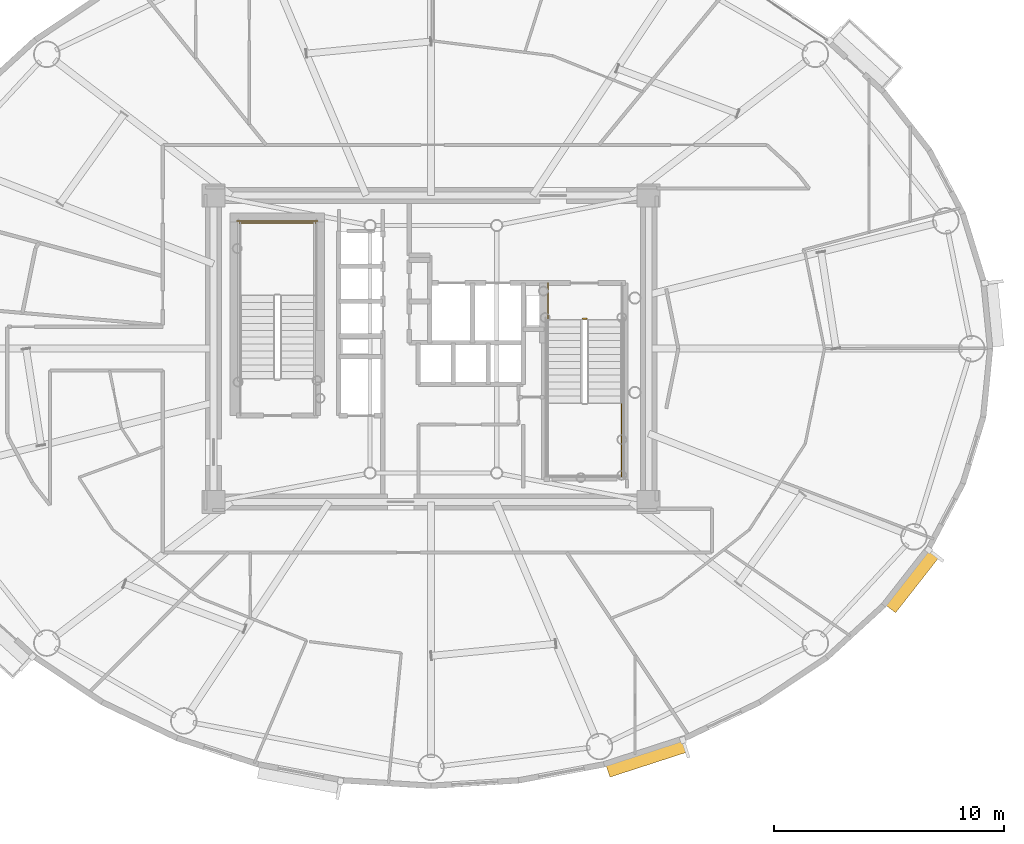
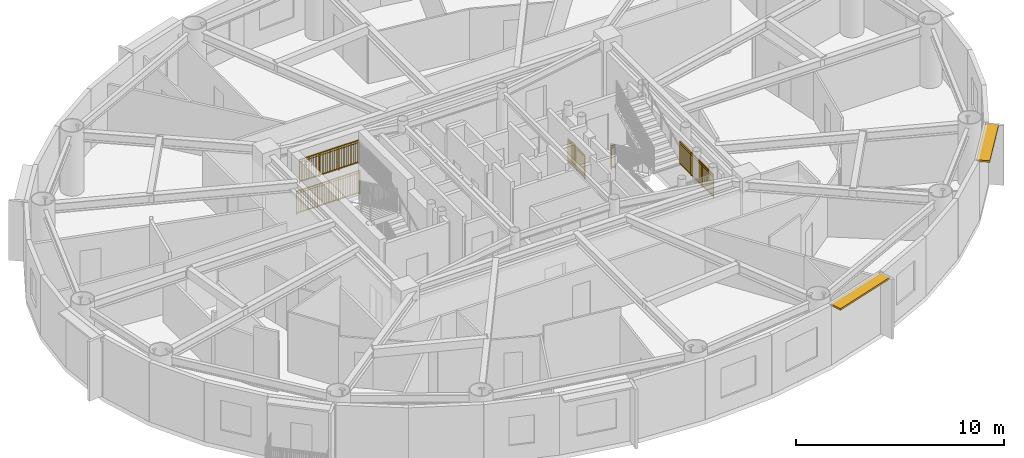
# One storey, part 17 of 19: 5 railings, 2 shading devices.
"""IFC4 building model written with IfcOpenShell, lengths in metres."""

import ifcopenshell
import ifcopenshell.guid

model = None  # the IFC model being written
_history = None  # IfcOwnerHistory: only IFC2X3 demands one
_inside = {}  # id of a spatial element -> (the spatial element, [elements in it])
_under = {}  # id of a project, library or spatial element -> (it, [spatial elements below it])
_declared = {}  # id of a project -> (the project, [libraries it declares])
_typed = {}  # id of a type object -> (the type object, [elements of that type])
_made_of = {}  # id of a material, layer set ... -> (it, [elements and type objects made of it])


def new_model(schema):
    """Start an empty IFC model of exactly this schema.

    Asked for "IFC4X3", IfcOpenShell would pick the latest addendum, in which some entities
    have other attributes; the version numbers below select the first issue.
    IFC2X3 requires an IfcOwnerHistory on every rooted entity: one is made here for all.
    """
    global model, _history
    if schema == "IFC4X3":
        model = ifcopenshell.file(schema_version=(4, 3, 0, 0))
    else:
        model = ifcopenshell.file(schema=schema)
    _inside.clear()
    _under.clear()
    _declared.clear()
    _typed.clear()
    _made_of.clear()
    _history = None
    if model.schema == "IFC2X3":
        org = make("IfcOrganization", Name="unknown")
        user = make(
            "IfcPersonAndOrganization",
            ThePerson=make("IfcPerson", FamilyName="unknown"),
            TheOrganization=org,
        )
        app = make(
            "IfcApplication",
            ApplicationDeveloper=org,
            Version="unknown",
            ApplicationFullName="unknown",
            ApplicationIdentifier="unknown",
        )
        _history = make(
            "IfcOwnerHistory",
            OwningUser=user,
            OwningApplication=app,
            ChangeAction="ADDED",
            CreationDate=0,
        )
    return model


def make(cls, **values):
    """One entity of the class cls with the attributes given. An attribute that is None is left unset."""
    return model.create_entity(
        cls, **{name: value for name, value in values.items() if value is not None}
    )


def rooted(cls, **values):
    """An entity with a GlobalId (a new one), such as an element, a storey or a relation."""
    return make(cls, GlobalId=ifcopenshell.guid.new(), OwnerHistory=_history, **values)


def si_unit(unit_type, name, prefix=None):
    """IfcSIUnit, for example si_unit("LENGTHUNIT", "METRE", prefix="MILLI")."""
    return make("IfcSIUnit", UnitType=unit_type, Prefix=prefix, Name=name)


def assignment(units):
    """IfcUnitAssignment: the units of a project."""
    return None if units is None else make("IfcUnitAssignment", Units=units)


def point(xyz):
    """IfcCartesianPoint."""
    return None if xyz is None else make("IfcCartesianPoint", Coordinates=xyz)


def direction(xyz):
    """IfcDirection."""
    return None if xyz is None else make("IfcDirection", DirectionRatios=xyz)


def frame(location, z_axis=None, x_axis=None):
    """IfcAxis2Placement3D, a coordinate frame: its origin and axes. An axis left out is left unset."""
    return make(
        "IfcAxis2Placement3D",
        Location=point(location),
        Axis=direction(z_axis),
        RefDirection=direction(x_axis),
    )


def frame_2d(location, x_axis=None):
    """IfcAxis2Placement2D, a coordinate frame in the plane: its origin and x axis."""
    return make(
        "IfcAxis2Placement2D", Location=point(location), RefDirection=direction(x_axis)
    )


def origin():
    """The frame at (0, 0, 0) with its axes left unset."""
    return frame((0.0, 0.0, 0.0))


def origin_2d():
    """The frame at (0, 0) in the plane with its x axis left unset."""
    return frame_2d((0.0, 0.0))


def place(relative_to, where):
    """IfcLocalPlacement: puts the frame where relative to a parent placement (None: the world)."""
    return make(
        "IfcLocalPlacement", PlacementRelTo=relative_to, RelativePlacement=where
    )


def context(
    kind, dimensions, precision=None, world=None, true_north=None, identifier=None
):
    """IfcGeometricRepresentationContext, for example the 3D "Model" context."""
    return make(
        "IfcGeometricRepresentationContext",
        ContextIdentifier=identifier,
        ContextType=kind,
        CoordinateSpaceDimension=dimensions,
        Precision=precision,
        WorldCoordinateSystem=world,
        TrueNorth=true_north,
    )


def subcontext(parent, identifier, kind, view, scale=None):
    """IfcGeometricRepresentationSubContext, for example "Body" below "Model"."""
    return make(
        "IfcGeometricRepresentationSubContext",
        ContextIdentifier=identifier,
        ContextType=kind,
        ParentContext=parent,
        TargetScale=scale,
        TargetView=view,
    )


def project(units=None, contexts=None):
    """IfcProject with its units and contexts."""
    return rooted(
        "IfcProject",
        Name="project",
        RepresentationContexts=contexts,
        UnitsInContext=assignment(units),
    )


def spatial(cls, under=None, at=None, **own):
    """A site, building, storey or space (cls), placed at a placement, below another one or the project."""
    s = rooted(cls, ObjectPlacement=at, **own)
    if under is not None:
        _under.setdefault(under.id(), (under, []))[1].append(s)
    return s


def profile(cls, at=None, kind="AREA", **sizes):
    """A parametric profile (cls). Its sizes go by their IFC names, for example OverallWidth=200.0."""
    return make(cls, ProfileType=kind, Position=at, **sizes)


def rectangle(**sizes):
    """IfcRectangleProfileDef."""
    return profile("IfcRectangleProfileDef", **sizes)


def extrude(swept, where, along, depth):
    """IfcExtrudedAreaSolid: the profile swept, set in the frame where, extruded along a direction by depth."""
    return make(
        "IfcExtrudedAreaSolid",
        SweptArea=swept,
        Position=where,
        ExtrudedDirection=direction(along),
        Depth=depth,
    )


def shape(context_of_items, identifier, shape_type, items):
    """IfcShapeRepresentation: the items that make up one representation, for example the "Body"."""
    return make(
        "IfcShapeRepresentation",
        ContextOfItems=context_of_items,
        RepresentationIdentifier=identifier,
        RepresentationType=shape_type,
        Items=items,
    )


def source(mapping_origin, context_of_items, identifier, shape_type, items):
    """IfcRepresentationMap: a shape defined once, which mapped items show again and again."""
    return make(
        "IfcRepresentationMap",
        MappingOrigin=mapping_origin,
        MappedRepresentation=shape(context_of_items, identifier, shape_type, items),
    )


def transform(
    local_origin,
    x_axis=None,
    y_axis=None,
    z_axis=None,
    scale=None,
    scale2=None,
    scale3=None,
    uniform=True,
):
    """IfcCartesianTransformationOperator3D, or its non-uniform kind. x_axis, y_axis, z_axis: its Axis1, 2, 3."""
    if uniform:
        return make(
            "IfcCartesianTransformationOperator3D",
            Axis1=direction(x_axis),
            Axis2=direction(y_axis),
            LocalOrigin=point(local_origin),
            Scale=scale,
            Axis3=direction(z_axis),
        )
    return make(
        "IfcCartesianTransformationOperator3DnonUniform",
        Axis1=direction(x_axis),
        Axis2=direction(y_axis),
        LocalOrigin=point(local_origin),
        Scale=scale,
        Axis3=direction(z_axis),
        Scale2=scale2,
        Scale3=scale3,
    )


def mapped(mapping_source, mapping_target):
    """IfcMappedItem: shows the shape of a source again, moved by a transform."""
    return make(
        "IfcMappedItem", MappingSource=mapping_source, MappingTarget=mapping_target
    )


def material(Name=None, Category=None):
    """IfcMaterial."""
    return make("IfcMaterial", Name=Name, Category=Category)


def layer(
    of_material, thickness, ventilated=None, Name=None, Category=None, Priority=None
):
    """IfcMaterialLayer: one layer of a wall or slab, of a material (None: an air gap)."""
    return make(
        "IfcMaterialLayer",
        Material=of_material,
        LayerThickness=thickness,
        IsVentilated=ventilated,
        Name=Name,
        Category=Category,
        Priority=Priority,
    )


def layer_set(layers, Name=None):
    """IfcMaterialLayerSet."""
    return make("IfcMaterialLayerSet", MaterialLayers=layers, LayerSetName=Name)


def made_of(thing, what):
    """Note that an element or type object is made of a material, layer set ...; save() writes the relation."""
    if what is not None:
        _made_of.setdefault(what.id(), (what, []))[1].append(thing)
    return thing


def type_object(cls, material=None, **own):
    """A type object (cls), such as IfcWallType, which elements share."""
    return made_of(rooted(cls, **own), material)


def element(
    cls,
    number,
    at=None,
    inside=None,
    cuts=None,
    type_object=None,
    material=None,
    context=None,
    identifier="Body",
    shape_type=None,
    held_by="IfcProductDefinitionShape",
    body=None,
    shapes=None,
    **own,
):
    """One element of the class cls, such as IfcWall. Its Tag is "e" and its number.

    at: its placement. inside: the storey or other place that contains it. cuts: it is an
    opening in that element (IfcRelVoidsElement). A single representation is given by context,
    identifier, shape_type and body (its items); several are given by shapes. held_by: the class
    of the entity that holds the representations. save() writes the other relations.
    """
    e = rooted(cls, Tag="e%d" % number, ObjectPlacement=at, **own)
    if body is not None:
        shapes = [shape(context, identifier, shape_type, body)]
    if shapes is not None:
        e.Representation = make(held_by, Representations=shapes)
    if inside is not None:
        _inside.setdefault(inside.id(), (inside, []))[1].append(e)
    if cuts is not None:
        rooted(
            "IfcRelVoidsElement", RelatingBuildingElement=cuts, RelatedOpeningElement=e
        )
    if type_object is not None:
        _typed.setdefault(type_object.id(), (type_object, []))[1].append(e)
    return made_of(e, material)


def aggregate(whole, parts):
    """IfcRelAggregates: a whole, such as a stair, and the parts it consists of."""
    return rooted("IfcRelAggregates", RelatingObject=whole, RelatedObjects=parts)


def save(model, path):
    """Write the relations noted so far, then the file.

    IfcRelAggregates (storeys below a building ...), IfcRelContainedInSpatialStructure (elements
    in a storey), IfcRelDefinesByType, IfcRelAssociatesMaterial and IfcRelDeclares: one each for
    every whole, place, type object, material and project.
    """
    for whole, parts in _under.values():
        aggregate(whole, parts)
    for where, things in _inside.values():
        rooted(
            "IfcRelContainedInSpatialStructure",
            RelatedElements=things,
            RelatingStructure=where,
        )
    for kind, things in _typed.values():
        rooted("IfcRelDefinesByType", RelatedObjects=things, RelatingType=kind)
    for what, things in _made_of.values():
        rooted("IfcRelAssociatesMaterial", RelatedObjects=things, RelatingMaterial=what)
    for by, libraries in _declared.values():
        rooted("IfcRelDeclares", RelatingContext=by, RelatedDefinitions=libraries)
    model.write(path)


model = new_model("IFC4")

# Units and contexts
model_context = context("Model", 3, precision=1e-05, world=origin(), true_north=direction((0.0, 1.0)))
body_context = subcontext(model_context, "Body", "Model", "MODEL_VIEW")
ifc_project = project(units=[si_unit("LENGTHUNIT", "METRE"), si_unit("AREAUNIT", "SQUARE_METRE"), si_unit("VOLUMEUNIT", "CUBIC_METRE"), si_unit("PLANEANGLEUNIT", "RADIAN"), si_unit("MASSUNIT", "GRAM", prefix="KILO")], contexts=[model_context])

# Site, building, storey
site_placement = place(None, origin())
site = spatial("IfcSite", under=ifc_project, at=site_placement, CompositionType="ELEMENT")
building_placement = place(site_placement, origin())
building = spatial("IfcBuilding", under=site, at=building_placement, Name="Linh Dai School and Residence Tower", CompositionType="ELEMENT")
storey_placement = place(building_placement, frame((0.0, 0.0, 247.800048828125)))
storey = spatial("IfcBuildingStorey", under=building, at=storey_placement, Name="L61", CompositionType="ELEMENT", Elevation=247.800048828125)

# Shading devices
ifc_material_1 = material(Name="Terracotta Ceramic Sunshade", Category="masonry")
ifc_layer = layer(ifc_material_1, 0.10009765625)
ifc_layer_set = layer_set([ifc_layer], Name="Terracotta Ceramic Sunshade")
shading_device_type = type_object("IfcShadingDeviceType", Name="SHD-TC-650", PredefinedType="USERDEFINED", material=ifc_layer_set)
shared_shape_1 = source(origin(), body_context, "Body", "SweptSolid", [
    extrude(rectangle(XDim=3.554443359375, YDim=0.64990234375, at=origin_2d()), origin(), (0.0, 0.0, 1.0), 0.10009765625),
])
shading_device_1_placement = place(storey_placement, frame((45.358154296875, 9.251220703125, 3.3798828125), z_axis=(0.0, 0.0, 1.0), x_axis=(-0.951223997135, -0.308501065272, 0.0)))
element("IfcShadingDevice", 1, at=shading_device_1_placement, inside=storey, type_object=shading_device_type, Name="L61 Terracotta Horizontal Sunshade Band 33", ObjectType="SUNSHADE", PredefinedType="USERDEFINED", context=body_context, shape_type="MappedRepresentation", body=[
    mapped(shared_shape_1, transform((0.0, 0.0, 0.0), x_axis=(1.0, 0.0, 0.0), y_axis=(0.0, 1.0, 0.0), z_axis=(0.0, 0.0, 1.0), scale=1.0)),
])
shared_shape_2 = source(origin(), body_context, "Body", "SweptSolid", [
    extrude(rectangle(XDim=3.095703125, YDim=0.64990234375, at=origin_2d()), origin(), (0.0, 0.0, 1.0), 0.10009765625),
])
shading_device_2_placement = place(storey_placement, frame((56.866455078125, 16.949462890625, 3.3798828125), z_axis=(0.0, 0.0, 1.0), x_axis=(-0.616333598027, -0.787485171888, 0.0)))
element("IfcShadingDevice", 2, at=shading_device_2_placement, inside=storey, type_object=shading_device_type, Name="L61 Terracotta Horizontal Sunshade Band 37", ObjectType="SUNSHADE", PredefinedType="USERDEFINED", context=body_context, shape_type="MappedRepresentation", body=[
    mapped(shared_shape_2, transform((0.0, 0.0, 0.0), x_axis=(1.0, 0.0, 0.0), y_axis=(0.0, 1.0, 0.0), z_axis=(0.0, 0.0, 1.0), scale=1.0)),
])

# Railings
ifc_material_2 = material(Name="Structural Steel S355JR", Category="steel")
railing_type = type_object("IfcRailingType", Name="RL-ST-GUARD-1400", PredefinedType="GUARDRAIL", material=ifc_material_2)
shared_shape_3 = source(origin(), body_context, "Body", "SweptSolid", [
    extrude(rectangle(XDim=0.048095703125, YDim=0.048095703125, at=origin_2d()), frame((0.0, 0.0, 1.3759765625), z_axis=(-1.0, 0.0, 0.0), x_axis=(0.0, -1.0, 0.0)), (0.0, 0.0, 1.0), 3.300048828125),
    extrude(rectangle(XDim=0.048095703125, YDim=0.048095703125, at=origin_2d()), frame((0.0, 0.0, 0.10009765625), z_axis=(-1.0, 0.0, 0.0), x_axis=(0.0, -1.0, 0.0)), (0.0, 0.0, 1.0), 3.300048828125),
    extrude(rectangle(XDim=0.030029296875, YDim=0.030029296875, at=origin_2d()), frame((0.0, 0.0, 1.239990234375), z_axis=(-1.0, 0.0, 0.0), x_axis=(0.0, -1.0, 0.0)), (0.0, 0.0, 1.0), 3.300048828125),
    extrude(rectangle(XDim=0.02001953125, YDim=0.02001953125, at=origin_2d()), frame((-0.09716796875, 0.0, 0.10009765625)), (0.0, 0.0, 1.0), 1.251708984375),
    extrude(rectangle(XDim=0.02001953125, YDim=0.02001953125, at=origin_2d()), frame((-0.194091796875, 0.0, 0.10009765625)), (0.0, 0.0, 1.0), 1.251708984375),
    extrude(rectangle(XDim=0.02001953125, YDim=0.02001953125, at=origin_2d()), frame((-0.291259765625, 0.0, 0.10009765625)), (0.0, 0.0, 1.0), 1.251708984375),
    extrude(rectangle(XDim=0.02001953125, YDim=0.02001953125, at=origin_2d()), frame((-0.38818359375, 0.0, 0.10009765625)), (0.0, 0.0, 1.0), 1.251708984375),
    extrude(rectangle(XDim=0.02001953125, YDim=0.02001953125, at=origin_2d()), frame((-0.4853515625, 0.0, 0.10009765625)), (0.0, 0.0, 1.0), 1.251708984375),
    extrude(rectangle(XDim=0.02001953125, YDim=0.02001953125, at=origin_2d()), frame((-0.582275390625, 0.0, 0.10009765625)), (0.0, 0.0, 1.0), 1.251708984375),
    extrude(rectangle(XDim=0.02001953125, YDim=0.02001953125, at=origin_2d()), frame((-0.679443359375, 0.0, 0.10009765625)), (0.0, 0.0, 1.0), 1.251708984375),
    extrude(rectangle(XDim=0.02001953125, YDim=0.02001953125, at=origin_2d()), frame((-0.7763671875, 0.0, 0.10009765625)), (0.0, 0.0, 1.0), 1.251708984375),
    extrude(rectangle(XDim=0.02001953125, YDim=0.02001953125, at=origin_2d()), frame((-0.87353515625, 0.0, 0.10009765625)), (0.0, 0.0, 1.0), 1.251708984375),
    extrude(rectangle(XDim=0.02001953125, YDim=0.02001953125, at=origin_2d()), frame((-0.970703125, 0.0, 0.10009765625)), (0.0, 0.0, 1.0), 1.251708984375),
    extrude(rectangle(XDim=0.02001953125, YDim=0.02001953125, at=origin_2d()), frame((-1.164794921875, 0.0, 0.10009765625)), (0.0, 0.0, 1.0), 1.251708984375),
    extrude(rectangle(XDim=0.02001953125, YDim=0.02001953125, at=origin_2d()), frame((-1.26171875, 0.0, 0.10009765625)), (0.0, 0.0, 1.0), 1.251708984375),
    extrude(rectangle(XDim=0.02001953125, YDim=0.02001953125, at=origin_2d()), frame((-1.35888671875, 0.0, 0.10009765625)), (0.0, 0.0, 1.0), 1.251708984375),
    extrude(rectangle(XDim=0.02001953125, YDim=0.02001953125, at=origin_2d()), frame((-1.455810546875, 0.0, 0.10009765625)), (0.0, 0.0, 1.0), 1.251708984375),
    extrude(rectangle(XDim=0.02001953125, YDim=0.02001953125, at=origin_2d()), frame((-1.552978515625, 0.0, 0.10009765625)), (0.0, 0.0, 1.0), 1.251708984375),
    extrude(rectangle(XDim=0.02001953125, YDim=0.02001953125, at=origin_2d()), frame((-1.64990234375, 0.0, 0.10009765625)), (0.0, 0.0, 1.0), 1.251708984375),
    extrude(rectangle(XDim=0.02001953125, YDim=0.02001953125, at=origin_2d()), frame((-1.7470703125, 0.0, 0.10009765625)), (0.0, 0.0, 1.0), 1.251708984375),
    extrude(rectangle(XDim=0.02001953125, YDim=0.02001953125, at=origin_2d()), frame((-1.84423828125, 0.0, 0.10009765625)), (0.0, 0.0, 1.0), 1.251708984375),
    extrude(rectangle(XDim=0.02001953125, YDim=0.02001953125, at=origin_2d()), frame((-1.941162109375, 0.0, 0.10009765625)), (0.0, 0.0, 1.0), 1.251708984375),
    extrude(rectangle(XDim=0.02001953125, YDim=0.02001953125, at=origin_2d()), frame((-2.038330078125, 0.0, 0.10009765625)), (0.0, 0.0, 1.0), 1.251708984375),
    extrude(rectangle(XDim=0.02001953125, YDim=0.02001953125, at=origin_2d()), frame((-2.13525390625, 0.0, 0.10009765625)), (0.0, 0.0, 1.0), 1.251708984375),
    extrude(rectangle(XDim=0.02001953125, YDim=0.02001953125, at=origin_2d()), frame((-2.329345703125, 0.0, 0.10009765625)), (0.0, 0.0, 1.0), 1.251708984375),
    extrude(rectangle(XDim=0.02001953125, YDim=0.02001953125, at=origin_2d()), frame((-2.426513671875, 0.0, 0.10009765625)), (0.0, 0.0, 1.0), 1.251708984375),
    extrude(rectangle(XDim=0.02001953125, YDim=0.02001953125, at=origin_2d()), frame((-2.523681640625, 0.0, 0.10009765625)), (0.0, 0.0, 1.0), 1.251708984375),
    extrude(rectangle(XDim=0.02001953125, YDim=0.02001953125, at=origin_2d()), frame((-2.62060546875, 0.0, 0.10009765625)), (0.0, 0.0, 1.0), 1.251708984375),
    extrude(rectangle(XDim=0.02001953125, YDim=0.02001953125, at=origin_2d()), frame((-2.7177734375, 0.0, 0.10009765625)), (0.0, 0.0, 1.0), 1.251708984375),
    extrude(rectangle(XDim=0.02001953125, YDim=0.02001953125, at=origin_2d()), frame((-2.814697265625, 0.0, 0.10009765625)), (0.0, 0.0, 1.0), 1.251708984375),
    extrude(rectangle(XDim=0.02001953125, YDim=0.02001953125, at=origin_2d()), frame((-2.911865234375, 0.0, 0.10009765625)), (0.0, 0.0, 1.0), 1.251708984375),
    extrude(rectangle(XDim=0.02001953125, YDim=0.02001953125, at=origin_2d()), frame((-3.0087890625, 0.0, 0.10009765625)), (0.0, 0.0, 1.0), 1.251708984375),
    extrude(rectangle(XDim=0.02001953125, YDim=0.02001953125, at=origin_2d()), frame((-3.10595703125, 0.0, 0.10009765625)), (0.0, 0.0, 1.0), 1.251708984375),
    extrude(rectangle(XDim=0.02001953125, YDim=0.02001953125, at=origin_2d()), frame((-3.202880859375, 0.0, 0.10009765625)), (0.0, 0.0, 1.0), 1.251708984375),
    extrude(rectangle(XDim=0.0419921875, YDim=0.0419921875, at=origin_2d()), origin(), (0.0, 0.0, 1.0), 1.3759765625),
    extrude(rectangle(XDim=0.0419921875, YDim=0.0419921875, at=origin_2d()), frame((-1.10009765625, 0.0, 0.0)), (0.0, 0.0, 1.0), 1.3759765625),
    extrude(rectangle(XDim=0.0419921875, YDim=0.0419921875, at=origin_2d()), frame((-2.199951171875, 0.0, 0.0)), (0.0, 0.0, 1.0), 1.3759765625),
    extrude(rectangle(XDim=0.0419921875, YDim=0.0419921875, at=origin_2d()), frame((-3.300048828125, 0.0, 0.0)), (0.0, 0.0, 1.0), 1.3759765625),
])
railing_1_placement = place(storey_placement, frame((30.97998046875, 32.449951171875, 1.875)))
element("IfcRailing", 3, at=railing_1_placement, inside=storey, type_object=railing_type, Name="L61 ST1 stair guard 5", PredefinedType="GUARDRAIL", context=body_context, shape_type="MappedRepresentation", body=[
    mapped(shared_shape_3, transform((0.0, 0.0, 0.0), x_axis=(1.0, 0.0, 0.0), y_axis=(0.0, 1.0, 0.0), z_axis=(0.0, 0.0, 1.0), scale=1.0)),
])
shared_shape_4 = source(origin(), body_context, "Body", "SweptSolid", [
    extrude(rectangle(XDim=0.048095703125, YDim=0.048095703125, at=origin_2d()), frame((0.0, 0.0, 1.3759765625), z_axis=(-1.0, 0.0, 0.0), x_axis=(0.0, -1.0, 0.0)), (0.0, 0.0, 1.0), 3.5),
    extrude(rectangle(XDim=0.048095703125, YDim=0.048095703125, at=origin_2d()), frame((0.0, 0.0, 0.10009765625), z_axis=(-1.0, 0.0, 0.0), x_axis=(0.0, -1.0, 0.0)), (0.0, 0.0, 1.0), 3.5),
    extrude(rectangle(XDim=0.030029296875, YDim=0.030029296875, at=origin_2d()), frame((0.0, 0.0, 1.239990234375), z_axis=(-1.0, 0.0, 0.0), x_axis=(0.0, -1.0, 0.0)), (0.0, 0.0, 1.0), 3.5),
    extrude(rectangle(XDim=0.02001953125, YDim=0.02001953125, at=origin_2d()), frame((-0.09716796875, 0.0, 0.10009765625)), (0.0, 0.0, 1.0), 1.251708984375),
    extrude(rectangle(XDim=0.02001953125, YDim=0.02001953125, at=origin_2d()), frame((-0.1943359375, 0.0, 0.10009765625)), (0.0, 0.0, 1.0), 1.251708984375),
    extrude(rectangle(XDim=0.02001953125, YDim=0.02001953125, at=origin_2d()), frame((-0.291748046875, 0.0, 0.10009765625)), (0.0, 0.0, 1.0), 1.251708984375),
    extrude(rectangle(XDim=0.02001953125, YDim=0.02001953125, at=origin_2d()), frame((-0.388916015625, 0.0, 0.10009765625)), (0.0, 0.0, 1.0), 1.251708984375),
    extrude(rectangle(XDim=0.02001953125, YDim=0.02001953125, at=origin_2d()), frame((-0.486083984375, 0.0, 0.10009765625)), (0.0, 0.0, 1.0), 1.251708984375),
    extrude(rectangle(XDim=0.02001953125, YDim=0.02001953125, at=origin_2d()), frame((-0.583251953125, 0.0, 0.10009765625)), (0.0, 0.0, 1.0), 1.251708984375),
    extrude(rectangle(XDim=0.02001953125, YDim=0.02001953125, at=origin_2d()), frame((-0.6806640625, 0.0, 0.10009765625)), (0.0, 0.0, 1.0), 1.251708984375),
    extrude(rectangle(XDim=0.02001953125, YDim=0.02001953125, at=origin_2d()), frame((-0.77783203125, 0.0, 0.10009765625)), (0.0, 0.0, 1.0), 1.251708984375),
    extrude(rectangle(XDim=0.02001953125, YDim=0.02001953125, at=origin_2d()), frame((-0.875, 0.0, 0.10009765625)), (0.0, 0.0, 1.0), 1.251708984375),
    extrude(rectangle(XDim=0.02001953125, YDim=0.02001953125, at=origin_2d()), frame((-0.97216796875, 0.0, 0.10009765625)), (0.0, 0.0, 1.0), 1.251708984375),
    extrude(rectangle(XDim=0.02001953125, YDim=0.02001953125, at=origin_2d()), frame((-1.0693359375, 0.0, 0.10009765625)), (0.0, 0.0, 1.0), 1.251708984375),
    extrude(rectangle(XDim=0.02001953125, YDim=0.02001953125, at=origin_2d()), frame((-1.263916015625, 0.0, 0.10009765625)), (0.0, 0.0, 1.0), 1.251708984375),
    extrude(rectangle(XDim=0.02001953125, YDim=0.02001953125, at=origin_2d()), frame((-1.361083984375, 0.0, 0.10009765625)), (0.0, 0.0, 1.0), 1.251708984375),
    extrude(rectangle(XDim=0.02001953125, YDim=0.02001953125, at=origin_2d()), frame((-1.458251953125, 0.0, 0.10009765625)), (0.0, 0.0, 1.0), 1.251708984375),
    extrude(rectangle(XDim=0.02001953125, YDim=0.02001953125, at=origin_2d()), frame((-1.5556640625, 0.0, 0.10009765625)), (0.0, 0.0, 1.0), 1.251708984375),
    extrude(rectangle(XDim=0.02001953125, YDim=0.02001953125, at=origin_2d()), frame((-1.65283203125, 0.0, 0.10009765625)), (0.0, 0.0, 1.0), 1.251708984375),
    extrude(rectangle(XDim=0.02001953125, YDim=0.02001953125, at=origin_2d()), frame((-1.75, 0.0, 0.10009765625)), (0.0, 0.0, 1.0), 1.251708984375),
    extrude(rectangle(XDim=0.02001953125, YDim=0.02001953125, at=origin_2d()), frame((-1.84716796875, 0.0, 0.10009765625)), (0.0, 0.0, 1.0), 1.251708984375),
    extrude(rectangle(XDim=0.02001953125, YDim=0.02001953125, at=origin_2d()), frame((-1.9443359375, 0.0, 0.10009765625)), (0.0, 0.0, 1.0), 1.251708984375),
    extrude(rectangle(XDim=0.02001953125, YDim=0.02001953125, at=origin_2d()), frame((-2.041748046875, 0.0, 0.10009765625)), (0.0, 0.0, 1.0), 1.251708984375),
    extrude(rectangle(XDim=0.02001953125, YDim=0.02001953125, at=origin_2d()), frame((-2.138916015625, 0.0, 0.10009765625)), (0.0, 0.0, 1.0), 1.251708984375),
    extrude(rectangle(XDim=0.02001953125, YDim=0.02001953125, at=origin_2d()), frame((-2.236083984375, 0.0, 0.10009765625)), (0.0, 0.0, 1.0), 1.251708984375),
    extrude(rectangle(XDim=0.02001953125, YDim=0.02001953125, at=origin_2d()), frame((-2.4306640625, 0.0, 0.10009765625)), (0.0, 0.0, 1.0), 1.251708984375),
    extrude(rectangle(XDim=0.02001953125, YDim=0.02001953125, at=origin_2d()), frame((-2.52783203125, 0.0, 0.10009765625)), (0.0, 0.0, 1.0), 1.251708984375),
    extrude(rectangle(XDim=0.02001953125, YDim=0.02001953125, at=origin_2d()), frame((-2.625, 0.0, 0.10009765625)), (0.0, 0.0, 1.0), 1.251708984375),
    extrude(rectangle(XDim=0.02001953125, YDim=0.02001953125, at=origin_2d()), frame((-2.72216796875, 0.0, 0.10009765625)), (0.0, 0.0, 1.0), 1.251708984375),
    extrude(rectangle(XDim=0.02001953125, YDim=0.02001953125, at=origin_2d()), frame((-2.8193359375, 0.0, 0.10009765625)), (0.0, 0.0, 1.0), 1.251708984375),
    extrude(rectangle(XDim=0.02001953125, YDim=0.02001953125, at=origin_2d()), frame((-2.916748046875, 0.0, 0.10009765625)), (0.0, 0.0, 1.0), 1.251708984375),
    extrude(rectangle(XDim=0.02001953125, YDim=0.02001953125, at=origin_2d()), frame((-3.013916015625, 0.0, 0.10009765625)), (0.0, 0.0, 1.0), 1.251708984375),
    extrude(rectangle(XDim=0.02001953125, YDim=0.02001953125, at=origin_2d()), frame((-3.111083984375, 0.0, 0.10009765625)), (0.0, 0.0, 1.0), 1.251708984375),
    extrude(rectangle(XDim=0.02001953125, YDim=0.02001953125, at=origin_2d()), frame((-3.208251953125, 0.0, 0.10009765625)), (0.0, 0.0, 1.0), 1.251708984375),
    extrude(rectangle(XDim=0.02001953125, YDim=0.02001953125, at=origin_2d()), frame((-3.3056640625, 0.0, 0.10009765625)), (0.0, 0.0, 1.0), 1.251708984375),
    extrude(rectangle(XDim=0.02001953125, YDim=0.02001953125, at=origin_2d()), frame((-3.40283203125, 0.0, 0.10009765625)), (0.0, 0.0, 1.0), 1.251708984375),
    extrude(rectangle(XDim=0.0419921875, YDim=0.0419921875, at=origin_2d()), origin(), (0.0, 0.0, 1.0), 1.3759765625),
    extrude(rectangle(XDim=0.0419921875, YDim=0.0419921875, at=origin_2d()), frame((-1.166748046875, 0.0, 0.0)), (0.0, 0.0, 1.0), 1.3759765625),
    extrude(rectangle(XDim=0.0419921875, YDim=0.0419921875, at=origin_2d()), frame((-2.333251953125, 0.0, 0.0)), (0.0, 0.0, 1.0), 1.3759765625),
    extrude(rectangle(XDim=0.0419921875, YDim=0.0419921875, at=origin_2d()), frame((-3.5, 0.0, 0.0)), (0.0, 0.0, 1.0), 1.3759765625),
])
railing_2_placement = place(storey_placement, frame((31.080078125, 32.550048828125, 0.0)))
element("IfcRailing", 4, at=railing_2_placement, inside=storey, type_object=railing_type, Name="L61 ST1 stair guard 12", PredefinedType="GUARDRAIL", context=body_context, shape_type="MappedRepresentation", body=[
    mapped(shared_shape_4, transform((0.0, 0.0, 0.0), x_axis=(1.0, 0.0, 0.0), y_axis=(0.0, 1.0, 0.0), z_axis=(0.0, 0.0, 1.0), scale=1.0)),
])
shared_shape_5 = source(origin(), body_context, "Body", "SweptSolid", [
    extrude(rectangle(XDim=0.048095703125, YDim=0.048095703125, at=origin_2d()), frame((0.0, 0.0, 1.3759765625), z_axis=(1.0, 0.0, 0.0), x_axis=(0.0, 1.0, 0.0)), (0.0, 0.0, 1.0), 0.199951171875),
    extrude(rectangle(XDim=0.048095703125, YDim=0.048095703125, at=origin_2d()), frame((0.0, 0.0, 0.10009765625), z_axis=(1.0, 0.0, 0.0), x_axis=(0.0, 1.0, 0.0)), (0.0, 0.0, 1.0), 0.199951171875),
    extrude(rectangle(XDim=0.030029296875, YDim=0.030029296875, at=origin_2d()), frame((0.0, 0.0, 1.239990234375), z_axis=(1.0, 0.0, 0.0), x_axis=(0.0, 1.0, 0.0)), (0.0, 0.0, 1.0), 0.199951171875),
    extrude(rectangle(XDim=0.0419921875, YDim=0.0419921875, at=origin_2d()), origin(), (0.0, 0.0, 1.0), 1.3759765625),
    extrude(rectangle(XDim=0.0419921875, YDim=0.0419921875, at=origin_2d()), frame((0.199951171875, 0.0, 0.0)), (0.0, 0.0, 1.0), 1.3759765625),
])
railing_3_placement = place(storey_placement, frame((42.570068359375, 28.300048828125, 0.0)))
element("IfcRailing", 5, at=railing_3_placement, inside=storey, type_object=railing_type, Name="L61 ST2 stair guard 7", PredefinedType="GUARDRAIL", context=body_context, shape_type="MappedRepresentation", body=[
    mapped(shared_shape_5, transform((0.0, 0.0, 0.0), x_axis=(1.0, 0.0, 0.0), y_axis=(0.0, 1.0, 0.0), z_axis=(0.0, 0.0, 1.0), scale=1.0)),
])
shared_shape_6 = source(origin(), body_context, "Body", "SweptSolid", [
    extrude(rectangle(XDim=0.048095703125, YDim=0.048095703125, at=origin_2d()), frame((0.0, 0.0, 1.3759765625), z_axis=(0.0, -1.0, 0.0), x_axis=(1.0, 0.0, 0.0)), (0.0, 0.0, 1.0), 1.60009765625),
    extrude(rectangle(XDim=0.048095703125, YDim=0.048095703125, at=origin_2d()), frame((0.0, 0.0, 0.10009765625), z_axis=(0.0, -1.0, 0.0), x_axis=(1.0, 0.0, 0.0)), (0.0, 0.0, 1.0), 1.60009765625),
    extrude(rectangle(XDim=0.030029296875, YDim=0.030029296875, at=origin_2d()), frame((0.0, 0.0, 1.239990234375), z_axis=(0.0, -1.0, 0.0), x_axis=(1.0, 0.0, 0.0)), (0.0, 0.0, 1.0), 1.60009765625),
    extrude(rectangle(XDim=0.02001953125, YDim=0.02001953125, at=origin_2d()), frame((0.0, -0.09423828125, 0.10009765625)), (0.0, 0.0, 1.0), 1.251708984375),
    extrude(rectangle(XDim=0.02001953125, YDim=0.02001953125, at=origin_2d()), frame((0.0, -0.188232421875, 0.10009765625)), (0.0, 0.0, 1.0), 1.251708984375),
    extrude(rectangle(XDim=0.02001953125, YDim=0.02001953125, at=origin_2d()), frame((0.0, -0.282470703125, 0.10009765625)), (0.0, 0.0, 1.0), 1.251708984375),
    extrude(rectangle(XDim=0.02001953125, YDim=0.02001953125, at=origin_2d()), frame((0.0, -0.37646484375, 0.10009765625)), (0.0, 0.0, 1.0), 1.251708984375),
    extrude(rectangle(XDim=0.02001953125, YDim=0.02001953125, at=origin_2d()), frame((0.0, -0.470703125, 0.10009765625)), (0.0, 0.0, 1.0), 1.251708984375),
    extrude(rectangle(XDim=0.02001953125, YDim=0.02001953125, at=origin_2d()), frame((0.0, -0.564697265625, 0.10009765625)), (0.0, 0.0, 1.0), 1.251708984375),
    extrude(rectangle(XDim=0.02001953125, YDim=0.02001953125, at=origin_2d()), frame((0.0, -0.658935546875, 0.10009765625)), (0.0, 0.0, 1.0), 1.251708984375),
    extrude(rectangle(XDim=0.02001953125, YDim=0.02001953125, at=origin_2d()), frame((0.0, -0.7529296875, 0.10009765625)), (0.0, 0.0, 1.0), 1.251708984375),
    extrude(rectangle(XDim=0.02001953125, YDim=0.02001953125, at=origin_2d()), frame((0.0, -0.84716796875, 0.10009765625)), (0.0, 0.0, 1.0), 1.251708984375),
    extrude(rectangle(XDim=0.02001953125, YDim=0.02001953125, at=origin_2d()), frame((0.0, -0.941162109375, 0.10009765625)), (0.0, 0.0, 1.0), 1.251708984375),
    extrude(rectangle(XDim=0.02001953125, YDim=0.02001953125, at=origin_2d()), frame((0.0, -1.035400390625, 0.10009765625)), (0.0, 0.0, 1.0), 1.251708984375),
    extrude(rectangle(XDim=0.02001953125, YDim=0.02001953125, at=origin_2d()), frame((0.0, -1.12939453125, 0.10009765625)), (0.0, 0.0, 1.0), 1.251708984375),
    extrude(rectangle(XDim=0.02001953125, YDim=0.02001953125, at=origin_2d()), frame((0.0, -1.2236328125, 0.10009765625)), (0.0, 0.0, 1.0), 1.251708984375),
    extrude(rectangle(XDim=0.02001953125, YDim=0.02001953125, at=origin_2d()), frame((0.0, -1.317626953125, 0.10009765625)), (0.0, 0.0, 1.0), 1.251708984375),
    extrude(rectangle(XDim=0.02001953125, YDim=0.02001953125, at=origin_2d()), frame((0.0, -1.411865234375, 0.10009765625)), (0.0, 0.0, 1.0), 1.251708984375),
    extrude(rectangle(XDim=0.02001953125, YDim=0.02001953125, at=origin_2d()), frame((0.0, -1.505859375, 0.10009765625)), (0.0, 0.0, 1.0), 1.251708984375),
    extrude(rectangle(XDim=0.0419921875, YDim=0.0419921875, at=origin_2d()), origin(), (0.0, 0.0, 1.0), 1.3759765625),
    extrude(rectangle(XDim=0.0419921875, YDim=0.0419921875, at=origin_2d()), frame((0.0, -0.800048828125, 0.0)), (0.0, 0.0, 1.0), 1.3759765625),
    extrude(rectangle(XDim=0.0419921875, YDim=0.0419921875, at=origin_2d()), frame((0.0, -1.60009765625, 0.0)), (0.0, 0.0, 1.0), 1.3759765625),
])
railing_4_placement = place(storey_placement, frame((41.070068359375, 29.85009765625, 0.0)))
element("IfcRailing", 6, at=railing_4_placement, inside=storey, type_object=railing_type, Name="L61 ST2 stair guard 8", PredefinedType="GUARDRAIL", context=body_context, shape_type="MappedRepresentation", body=[
    mapped(shared_shape_6, transform((0.0, 0.0, 0.0), x_axis=(1.0, 0.0, 0.0), y_axis=(0.0, 1.0, 0.0), z_axis=(0.0, 0.0, 1.0), scale=1.0)),
])
shared_shape_7 = source(origin(), body_context, "Body", "SweptSolid", [
    extrude(rectangle(XDim=0.048095703125, YDim=0.048095703125, at=origin_2d()), frame((0.0, 0.0, 1.3759765625), z_axis=(0.0, -1.0, 0.0), x_axis=(1.0, 0.0, 0.0)), (0.0, 0.0, 1.0), 3.199951171875),
    extrude(rectangle(XDim=0.048095703125, YDim=0.048095703125, at=origin_2d()), frame((0.0, 0.0, 0.10009765625), z_axis=(0.0, -1.0, 0.0), x_axis=(1.0, 0.0, 0.0)), (0.0, 0.0, 1.0), 3.199951171875),
    extrude(rectangle(XDim=0.030029296875, YDim=0.030029296875, at=origin_2d()), frame((0.0, 0.0, 1.239990234375), z_axis=(0.0, -1.0, 0.0), x_axis=(1.0, 0.0, 0.0)), (0.0, 0.0, 1.0), 3.199951171875),
    extrude(rectangle(XDim=0.02001953125, YDim=0.02001953125, at=origin_2d()), frame((0.0, -0.096923828125, 0.10009765625)), (0.0, 0.0, 1.0), 1.251708984375),
    extrude(rectangle(XDim=0.02001953125, YDim=0.02001953125, at=origin_2d()), frame((0.0, -0.19384765625, 0.10009765625)), (0.0, 0.0, 1.0), 1.251708984375),
    extrude(rectangle(XDim=0.02001953125, YDim=0.02001953125, at=origin_2d()), frame((0.0, -0.291015625, 0.10009765625)), (0.0, 0.0, 1.0), 1.251708984375),
    extrude(rectangle(XDim=0.02001953125, YDim=0.02001953125, at=origin_2d()), frame((0.0, -0.387939453125, 0.10009765625)), (0.0, 0.0, 1.0), 1.251708984375),
    extrude(rectangle(XDim=0.02001953125, YDim=0.02001953125, at=origin_2d()), frame((0.0, -0.48486328125, 0.10009765625)), (0.0, 0.0, 1.0), 1.251708984375),
    extrude(rectangle(XDim=0.02001953125, YDim=0.02001953125, at=origin_2d()), frame((0.0, -0.581787109375, 0.10009765625)), (0.0, 0.0, 1.0), 1.251708984375),
    extrude(rectangle(XDim=0.02001953125, YDim=0.02001953125, at=origin_2d()), frame((0.0, -0.6787109375, 0.10009765625)), (0.0, 0.0, 1.0), 1.251708984375),
    extrude(rectangle(XDim=0.02001953125, YDim=0.02001953125, at=origin_2d()), frame((0.0, -0.775634765625, 0.10009765625)), (0.0, 0.0, 1.0), 1.251708984375),
    extrude(rectangle(XDim=0.02001953125, YDim=0.02001953125, at=origin_2d()), frame((0.0, -0.872802734375, 0.10009765625)), (0.0, 0.0, 1.0), 1.251708984375),
    extrude(rectangle(XDim=0.02001953125, YDim=0.02001953125, at=origin_2d()), frame((0.0, -0.9697265625, 0.10009765625)), (0.0, 0.0, 1.0), 1.251708984375),
    extrude(rectangle(XDim=0.02001953125, YDim=0.02001953125, at=origin_2d()), frame((0.0, -1.16357421875, 0.10009765625)), (0.0, 0.0, 1.0), 1.251708984375),
    extrude(rectangle(XDim=0.02001953125, YDim=0.02001953125, at=origin_2d()), frame((0.0, -1.260498046875, 0.10009765625)), (0.0, 0.0, 1.0), 1.251708984375),
    extrude(rectangle(XDim=0.02001953125, YDim=0.02001953125, at=origin_2d()), frame((0.0, -1.357666015625, 0.10009765625)), (0.0, 0.0, 1.0), 1.251708984375),
    extrude(rectangle(XDim=0.02001953125, YDim=0.02001953125, at=origin_2d()), frame((0.0, -1.45458984375, 0.10009765625)), (0.0, 0.0, 1.0), 1.251708984375),
    extrude(rectangle(XDim=0.02001953125, YDim=0.02001953125, at=origin_2d()), frame((0.0, -1.551513671875, 0.10009765625)), (0.0, 0.0, 1.0), 1.251708984375),
    extrude(rectangle(XDim=0.02001953125, YDim=0.02001953125, at=origin_2d()), frame((0.0, -1.6484375, 0.10009765625)), (0.0, 0.0, 1.0), 1.251708984375),
    extrude(rectangle(XDim=0.02001953125, YDim=0.02001953125, at=origin_2d()), frame((0.0, -1.745361328125, 0.10009765625)), (0.0, 0.0, 1.0), 1.251708984375),
    extrude(rectangle(XDim=0.02001953125, YDim=0.02001953125, at=origin_2d()), frame((0.0, -1.84228515625, 0.10009765625)), (0.0, 0.0, 1.0), 1.251708984375),
    extrude(rectangle(XDim=0.02001953125, YDim=0.02001953125, at=origin_2d()), frame((0.0, -1.939453125, 0.10009765625)), (0.0, 0.0, 1.0), 1.251708984375),
    extrude(rectangle(XDim=0.02001953125, YDim=0.02001953125, at=origin_2d()), frame((0.0, -2.036376953125, 0.10009765625)), (0.0, 0.0, 1.0), 1.251708984375),
    extrude(rectangle(XDim=0.02001953125, YDim=0.02001953125, at=origin_2d()), frame((0.0, -2.230224609375, 0.10009765625)), (0.0, 0.0, 1.0), 1.251708984375),
    extrude(rectangle(XDim=0.02001953125, YDim=0.02001953125, at=origin_2d()), frame((0.0, -2.3271484375, 0.10009765625)), (0.0, 0.0, 1.0), 1.251708984375),
    extrude(rectangle(XDim=0.02001953125, YDim=0.02001953125, at=origin_2d()), frame((0.0, -2.42431640625, 0.10009765625)), (0.0, 0.0, 1.0), 1.251708984375),
    extrude(rectangle(XDim=0.02001953125, YDim=0.02001953125, at=origin_2d()), frame((0.0, -2.521240234375, 0.10009765625)), (0.0, 0.0, 1.0), 1.251708984375),
    extrude(rectangle(XDim=0.02001953125, YDim=0.02001953125, at=origin_2d()), frame((0.0, -2.6181640625, 0.10009765625)), (0.0, 0.0, 1.0), 1.251708984375),
    extrude(rectangle(XDim=0.02001953125, YDim=0.02001953125, at=origin_2d()), frame((0.0, -2.715087890625, 0.10009765625)), (0.0, 0.0, 1.0), 1.251708984375),
    extrude(rectangle(XDim=0.02001953125, YDim=0.02001953125, at=origin_2d()), frame((0.0, -2.81201171875, 0.10009765625)), (0.0, 0.0, 1.0), 1.251708984375),
    extrude(rectangle(XDim=0.02001953125, YDim=0.02001953125, at=origin_2d()), frame((0.0, -2.908935546875, 0.10009765625)), (0.0, 0.0, 1.0), 1.251708984375),
    extrude(rectangle(XDim=0.02001953125, YDim=0.02001953125, at=origin_2d()), frame((0.0, -3.006103515625, 0.10009765625)), (0.0, 0.0, 1.0), 1.251708984375),
    extrude(rectangle(XDim=0.02001953125, YDim=0.02001953125, at=origin_2d()), frame((0.0, -3.10302734375, 0.10009765625)), (0.0, 0.0, 1.0), 1.251708984375),
    extrude(rectangle(XDim=0.0419921875, YDim=0.0419921875, at=origin_2d()), origin(), (0.0, 0.0, 1.0), 1.3759765625),
    extrude(rectangle(XDim=0.0419921875, YDim=0.0419921875, at=origin_2d()), frame((0.0, -1.066650390625, 0.0)), (0.0, 0.0, 1.0), 1.3759765625),
    extrude(rectangle(XDim=0.0419921875, YDim=0.0419921875, at=origin_2d()), frame((0.0, -2.13330078125, 0.0)), (0.0, 0.0, 1.0), 1.3759765625),
    extrude(rectangle(XDim=0.0419921875, YDim=0.0419921875, at=origin_2d()), frame((0.0, -3.199951171875, 0.0)), (0.0, 0.0, 1.0), 1.3759765625),
])
railing_5_placement = place(storey_placement, frame((44.27001953125, 24.64990234375, 1.875)))
element("IfcRailing", 7, at=railing_5_placement, inside=storey, type_object=railing_type, Name="L61 ST2 stair guard 4", PredefinedType="GUARDRAIL", context=body_context, shape_type="MappedRepresentation", body=[
    mapped(shared_shape_7, transform((0.0, 0.0, 0.0), x_axis=(1.0, 0.0, 0.0), y_axis=(0.0, 1.0, 0.0), z_axis=(0.0, 0.0, 1.0), scale=1.0)),
])

save(model, "model.ifc")
